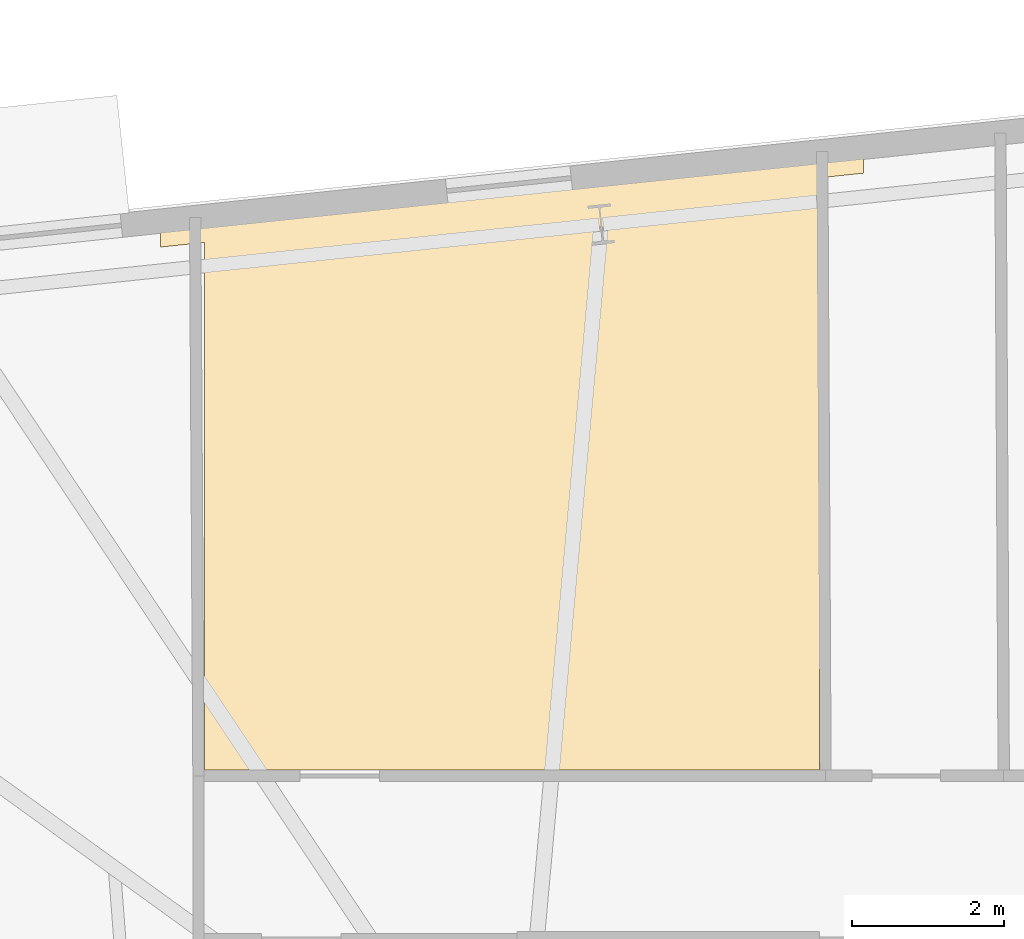
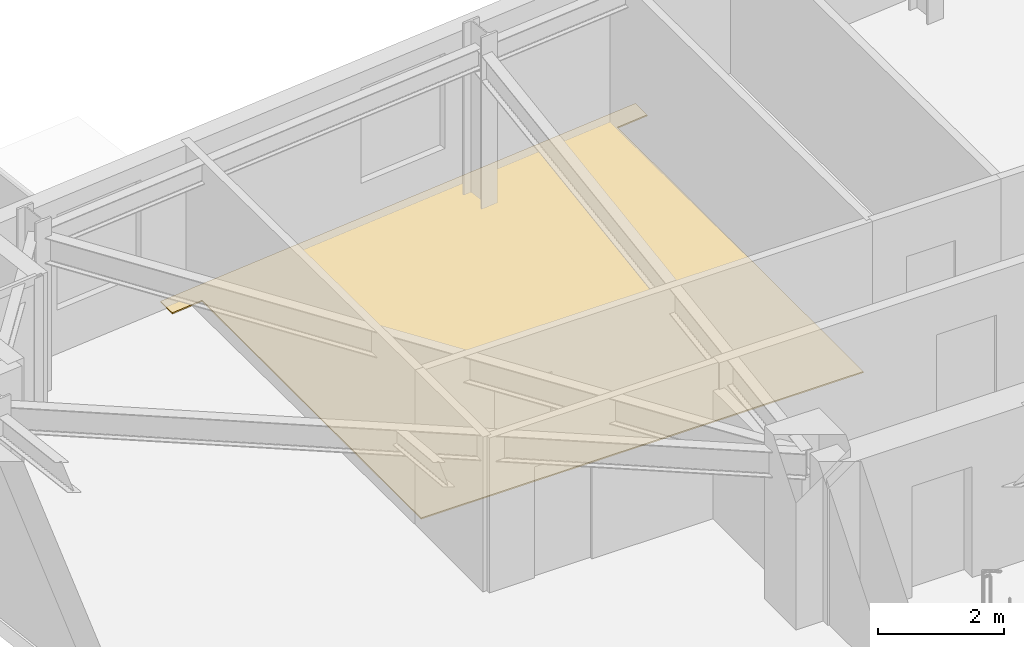
# One storey, part 19 of 19: 1 covering.
"""IFC4 building model written with IfcOpenShell, lengths in metres."""

from ifc_helpers import new_model, si_unit, direction, frame, origin, place, context, subcontext, project, spatial, polyline, outline, extrude, material, layer, layer_set, type_object, element, save


model = new_model("IFC4")

# Units and contexts
model_context = context("Model", 3, precision=1e-05, world=origin(), true_north=direction((0.0, 1.0)))
body_context = subcontext(model_context, "Body", "Model", "MODEL_VIEW")
ifc_project = project(units=[si_unit("LENGTHUNIT", "METRE"), si_unit("AREAUNIT", "SQUARE_METRE"), si_unit("VOLUMEUNIT", "CUBIC_METRE"), si_unit("PLANEANGLEUNIT", "RADIAN"), si_unit("MASSUNIT", "GRAM", prefix="KILO")], contexts=[model_context])

# Site, building, storey
site_placement = place(None, origin())
site = spatial("IfcSite", under=ifc_project, at=site_placement, CompositionType="ELEMENT")
building_placement = place(site_placement, origin())
building = spatial("IfcBuilding", under=site, at=building_placement, Name="Qobustan Lattice House", CompositionType="ELEMENT")
storey_placement = place(building_placement, frame((0.0, 0.0, 122.550048828125)))
storey = spatial("IfcBuildingStorey", under=building, at=storey_placement, Name="L34", CompositionType="ELEMENT", Elevation=122.550048828125)

# Covering
ifc_material = material(Name="Honed Absheron stone terrazzo flooring", Category="masonry")
ifc_layer = layer(ifc_material, 0.02490234375)
ifc_layer_set = layer_set([ifc_layer], Name="Honed Absheron stone terrazzo flooring")
covering_type = type_object("IfcCoveringType", Name="COV-TERRAZZO-FLR", PredefinedType="FLOORING", material=ifc_layer_set)
covering_placement = place(storey_placement, origin())
element("IfcCovering", 1, at=covering_placement, inside=storey, type_object=covering_type, Name="L34 Focus study room N1 stone terrazzo flooring", PredefinedType="FLOORING", context=body_context, shape_type="SweptSolid", body=[
    extrude(outline(polyline([(-14.23291015625, 18.968994140625), (-23.5, 17.9951171875), (-23.5, 17.623046875), (-22.919921875, 17.683837890625), (-22.919921875, 10.72998046875), (-14.81298828125, 10.72998046875), (-14.81298828125, 18.535888671875), (-14.23291015625, 18.596923828125), (-14.23291015625, 18.968994140625)])), origin(), (0.0, 0.0, 1.0), 0.02490234375),
])

save(model, "model.ifc")
